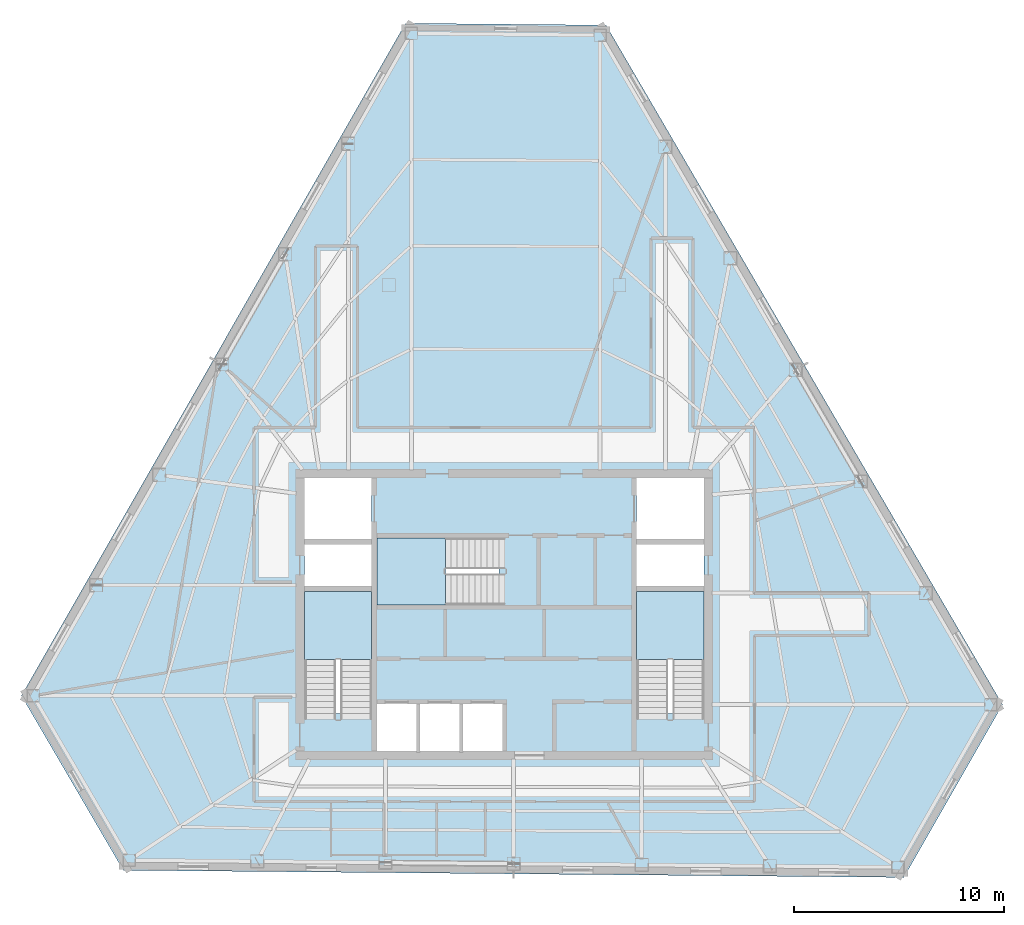
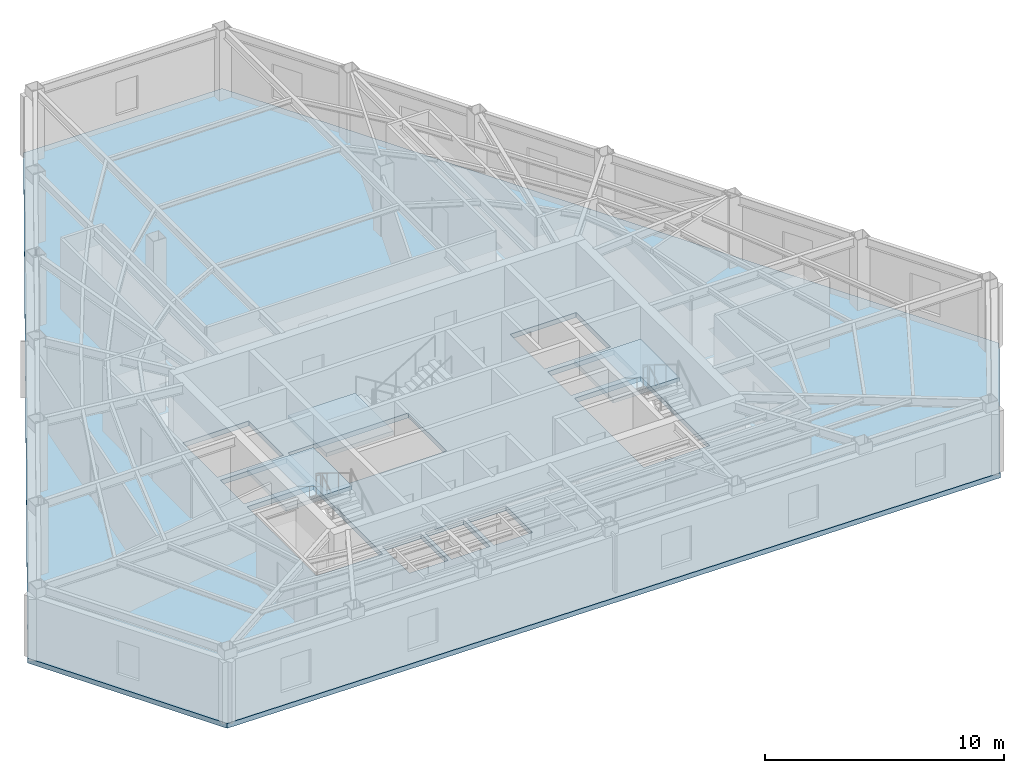
# One storey, part 3 of 11: 4 slabs, 3 elements without a shape of their own.
"""IFC4 building model written with IfcOpenShell, lengths in metres."""

import ifcopenshell
import ifcopenshell.guid

model = None  # the IFC model being written
_history = None  # IfcOwnerHistory: only IFC2X3 demands one
_inside = {}  # id of a spatial element -> (the spatial element, [elements in it])
_under = {}  # id of a project, library or spatial element -> (it, [spatial elements below it])
_declared = {}  # id of a project -> (the project, [libraries it declares])
_typed = {}  # id of a type object -> (the type object, [elements of that type])
_made_of = {}  # id of a material, layer set ... -> (it, [elements and type objects made of it])


def new_model(schema):
    """Start an empty IFC model of exactly this schema.

    Asked for "IFC4X3", IfcOpenShell would pick the latest addendum, in which some entities
    have other attributes; the version numbers below select the first issue.
    IFC2X3 requires an IfcOwnerHistory on every rooted entity: one is made here for all.
    """
    global model, _history
    if schema == "IFC4X3":
        model = ifcopenshell.file(schema_version=(4, 3, 0, 0))
    else:
        model = ifcopenshell.file(schema=schema)
    _inside.clear()
    _under.clear()
    _declared.clear()
    _typed.clear()
    _made_of.clear()
    _history = None
    if model.schema == "IFC2X3":
        org = make("IfcOrganization", Name="unknown")
        user = make(
            "IfcPersonAndOrganization",
            ThePerson=make("IfcPerson", FamilyName="unknown"),
            TheOrganization=org,
        )
        app = make(
            "IfcApplication",
            ApplicationDeveloper=org,
            Version="unknown",
            ApplicationFullName="unknown",
            ApplicationIdentifier="unknown",
        )
        _history = make(
            "IfcOwnerHistory",
            OwningUser=user,
            OwningApplication=app,
            ChangeAction="ADDED",
            CreationDate=0,
        )
    return model


def make(cls, **values):
    """One entity of the class cls with the attributes given. An attribute that is None is left unset."""
    return model.create_entity(
        cls, **{name: value for name, value in values.items() if value is not None}
    )


def rooted(cls, **values):
    """An entity with a GlobalId (a new one), such as an element, a storey or a relation."""
    return make(cls, GlobalId=ifcopenshell.guid.new(), OwnerHistory=_history, **values)


def si_unit(unit_type, name, prefix=None):
    """IfcSIUnit, for example si_unit("LENGTHUNIT", "METRE", prefix="MILLI")."""
    return make("IfcSIUnit", UnitType=unit_type, Prefix=prefix, Name=name)


def assignment(units):
    """IfcUnitAssignment: the units of a project."""
    return None if units is None else make("IfcUnitAssignment", Units=units)


def point(xyz):
    """IfcCartesianPoint."""
    return None if xyz is None else make("IfcCartesianPoint", Coordinates=xyz)


def direction(xyz):
    """IfcDirection."""
    return None if xyz is None else make("IfcDirection", DirectionRatios=xyz)


def frame(location, z_axis=None, x_axis=None):
    """IfcAxis2Placement3D, a coordinate frame: its origin and axes. An axis left out is left unset."""
    return make(
        "IfcAxis2Placement3D",
        Location=point(location),
        Axis=direction(z_axis),
        RefDirection=direction(x_axis),
    )


def origin():
    """The frame at (0, 0, 0) with its axes left unset."""
    return frame((0.0, 0.0, 0.0))


def place(relative_to, where):
    """IfcLocalPlacement: puts the frame where relative to a parent placement (None: the world)."""
    return make(
        "IfcLocalPlacement", PlacementRelTo=relative_to, RelativePlacement=where
    )


def context(
    kind, dimensions, precision=None, world=None, true_north=None, identifier=None
):
    """IfcGeometricRepresentationContext, for example the 3D "Model" context."""
    return make(
        "IfcGeometricRepresentationContext",
        ContextIdentifier=identifier,
        ContextType=kind,
        CoordinateSpaceDimension=dimensions,
        Precision=precision,
        WorldCoordinateSystem=world,
        TrueNorth=true_north,
    )


def subcontext(parent, identifier, kind, view, scale=None):
    """IfcGeometricRepresentationSubContext, for example "Body" below "Model"."""
    return make(
        "IfcGeometricRepresentationSubContext",
        ContextIdentifier=identifier,
        ContextType=kind,
        ParentContext=parent,
        TargetScale=scale,
        TargetView=view,
    )


def project(units=None, contexts=None):
    """IfcProject with its units and contexts."""
    return rooted(
        "IfcProject",
        Name="project",
        RepresentationContexts=contexts,
        UnitsInContext=assignment(units),
    )


def spatial(cls, under=None, at=None, **own):
    """A site, building, storey or space (cls), placed at a placement, below another one or the project."""
    s = rooted(cls, ObjectPlacement=at, **own)
    if under is not None:
        _under.setdefault(under.id(), (under, []))[1].append(s)
    return s


def polyline(points):
    """IfcPolyline through the points."""
    return make("IfcPolyline", Points=[point(p) for p in points])


def outline(outer, holes=None, kind="AREA"):
    """IfcArbitraryClosedProfileDef: a profile drawn as a closed curve; with holes, ...WithVoids."""
    if holes is None:
        return make("IfcArbitraryClosedProfileDef", ProfileType=kind, OuterCurve=outer)
    return make(
        "IfcArbitraryProfileDefWithVoids",
        ProfileType=kind,
        OuterCurve=outer,
        InnerCurves=holes,
    )


def extrude(swept, where, along, depth):
    """IfcExtrudedAreaSolid: the profile swept, set in the frame where, extruded along a direction by depth."""
    return make(
        "IfcExtrudedAreaSolid",
        SweptArea=swept,
        Position=where,
        ExtrudedDirection=direction(along),
        Depth=depth,
    )


def shape(context_of_items, identifier, shape_type, items):
    """IfcShapeRepresentation: the items that make up one representation, for example the "Body"."""
    return make(
        "IfcShapeRepresentation",
        ContextOfItems=context_of_items,
        RepresentationIdentifier=identifier,
        RepresentationType=shape_type,
        Items=items,
    )


def material(Name=None, Category=None):
    """IfcMaterial."""
    return make("IfcMaterial", Name=Name, Category=Category)


def layer(
    of_material, thickness, ventilated=None, Name=None, Category=None, Priority=None
):
    """IfcMaterialLayer: one layer of a wall or slab, of a material (None: an air gap)."""
    return make(
        "IfcMaterialLayer",
        Material=of_material,
        LayerThickness=thickness,
        IsVentilated=ventilated,
        Name=Name,
        Category=Category,
        Priority=Priority,
    )


def layer_set(layers, Name=None):
    """IfcMaterialLayerSet."""
    return make("IfcMaterialLayerSet", MaterialLayers=layers, LayerSetName=Name)


def made_of(thing, what):
    """Note that an element or type object is made of a material, layer set ...; save() writes the relation."""
    if what is not None:
        _made_of.setdefault(what.id(), (what, []))[1].append(thing)
    return thing


def type_object(cls, material=None, **own):
    """A type object (cls), such as IfcWallType, which elements share."""
    return made_of(rooted(cls, **own), material)


def element(
    cls,
    number,
    at=None,
    inside=None,
    cuts=None,
    type_object=None,
    material=None,
    context=None,
    identifier="Body",
    shape_type=None,
    held_by="IfcProductDefinitionShape",
    body=None,
    shapes=None,
    **own,
):
    """One element of the class cls, such as IfcWall. Its Tag is "e" and its number.

    at: its placement. inside: the storey or other place that contains it. cuts: it is an
    opening in that element (IfcRelVoidsElement). A single representation is given by context,
    identifier, shape_type and body (its items); several are given by shapes. held_by: the class
    of the entity that holds the representations. save() writes the other relations.
    """
    e = rooted(cls, Tag="e%d" % number, ObjectPlacement=at, **own)
    if body is not None:
        shapes = [shape(context, identifier, shape_type, body)]
    if shapes is not None:
        e.Representation = make(held_by, Representations=shapes)
    if inside is not None:
        _inside.setdefault(inside.id(), (inside, []))[1].append(e)
    if cuts is not None:
        rooted(
            "IfcRelVoidsElement", RelatingBuildingElement=cuts, RelatedOpeningElement=e
        )
    if type_object is not None:
        _typed.setdefault(type_object.id(), (type_object, []))[1].append(e)
    return made_of(e, material)


def aggregate(whole, parts):
    """IfcRelAggregates: a whole, such as a stair, and the parts it consists of."""
    return rooted("IfcRelAggregates", RelatingObject=whole, RelatedObjects=parts)


def save(model, path):
    """Write the relations noted so far, then the file.

    IfcRelAggregates (storeys below a building ...), IfcRelContainedInSpatialStructure (elements
    in a storey), IfcRelDefinesByType, IfcRelAssociatesMaterial and IfcRelDeclares: one each for
    every whole, place, type object, material and project.
    """
    for whole, parts in _under.values():
        aggregate(whole, parts)
    for where, things in _inside.values():
        rooted(
            "IfcRelContainedInSpatialStructure",
            RelatedElements=things,
            RelatingStructure=where,
        )
    for kind, things in _typed.values():
        rooted("IfcRelDefinesByType", RelatedObjects=things, RelatingType=kind)
    for what, things in _made_of.values():
        rooted("IfcRelAssociatesMaterial", RelatedObjects=things, RelatingMaterial=what)
    for by, libraries in _declared.values():
        rooted("IfcRelDeclares", RelatingContext=by, RelatedDefinitions=libraries)
    model.write(path)


model = new_model("IFC4")

# Units and contexts
model_context = context("Model", 3, precision=1e-05, world=origin(), true_north=direction((0.0, 1.0)))
body_context = subcontext(model_context, "Body", "Model", "MODEL_VIEW")
ifc_project = project(units=[si_unit("LENGTHUNIT", "METRE"), si_unit("AREAUNIT", "SQUARE_METRE"), si_unit("VOLUMEUNIT", "CUBIC_METRE"), si_unit("PLANEANGLEUNIT", "RADIAN"), si_unit("MASSUNIT", "GRAM", prefix="KILO")], contexts=[model_context])

# Site, building, storey
site_placement = place(None, origin())
site = spatial("IfcSite", under=ifc_project, at=site_placement, CompositionType="ELEMENT")
building_placement = place(site_placement, origin())
building = spatial("IfcBuilding", under=site, at=building_placement, Name="Kavelnor Concourse Tower", CompositionType="ELEMENT")
storey_placement = place(building_placement, frame((0.0, 0.0, 184.25)))
storey = spatial("IfcBuildingStorey", under=building, at=storey_placement, Name="L46", CompositionType="ELEMENT", Elevation=184.25)

# Stair, slab
ifc_material = material(Name="Concrete C40/50", Category="concrete")
stair_type = type_object("IfcStairType", Name="STR-CORE-1500", PredefinedType="HALF_TURN_STAIR", material=ifc_material)
stair_1_placement = place(storey_placement, origin())
stair_1 = element("IfcStair", 1, at=stair_1_placement, inside=storey, type_object=stair_type, Name="L46 ST1", PredefinedType="HALF_TURN_STAIR")
ifc_layer_1 = layer(ifc_material, 0.199951171875, Name="Concrete C40/50")
ifc_layer_set_1 = layer_set([ifc_layer_1], Name="Concrete C40/50")
slab_type_1 = type_object("IfcSlabType", Name="SLB-LANDING-200", PredefinedType="LANDING", material=ifc_layer_set_1)
slab_1_placement = place(storey_placement, frame((0.0, 0.0, 1.72509765625)))
slab_1 = element("IfcSlab", 2, at=slab_1_placement, type_object=slab_type_1, Name="ST1 landing 1", PredefinedType="LANDING", context=body_context, shape_type="SweptSolid", body=[
    extrude(outline(polyline([(31.679931640625, 13.949951171875), (31.679931640625, 17.199951171875), (28.47998046875, 17.199951171875), (28.47998046875, 13.949951171875), (31.679931640625, 13.949951171875)])), origin(), (0.0, 0.0, 1.0), 0.199951171875),
])
aggregate(stair_1, [slab_1])

stair_2_placement = place(storey_placement, origin())
stair_2 = element("IfcStair", 3, at=stair_2_placement, inside=storey, type_object=stair_type, Name="L46 ST2", PredefinedType="HALF_TURN_STAIR")
slab_2_placement = place(storey_placement, frame((0.0, 0.0, 1.72509765625)))
slab_2 = element("IfcSlab", 4, at=slab_2_placement, type_object=slab_type_1, Name="ST2 landing 1", PredefinedType="LANDING", context=body_context, shape_type="SweptSolid", body=[
    extrude(outline(polyline([(47.52001953125, 13.949951171875), (47.52001953125, 17.199951171875), (44.320068359375, 17.199951171875), (44.320068359375, 13.949951171875), (47.52001953125, 13.949951171875)])), origin(), (0.0, 0.0, 1.0), 0.199951171875),
])
aggregate(stair_2, [slab_2])

stair_3_placement = place(storey_placement, origin())
stair_3 = element("IfcStair", 5, at=stair_3_placement, inside=storey, type_object=stair_type, Name="L46 ST3", PredefinedType="HALF_TURN_STAIR")
slab_3_placement = place(storey_placement, frame((0.0, 0.0, 1.72509765625)))
slab_3 = element("IfcSlab", 6, at=slab_3_placement, type_object=slab_type_1, Name="ST3 landing 1", PredefinedType="LANDING", context=body_context, shape_type="SweptSolid", body=[
    extrude(outline(polyline([(35.18994140625, 19.760009765625), (31.93994140625, 19.760009765625), (31.93994140625, 16.56005859375), (35.18994140625, 16.56005859375), (35.18994140625, 19.760009765625)])), origin(), (0.0, 0.0, 1.0), 0.199951171875),
])
aggregate(stair_3, [slab_3])

# Slab
ifc_layer_2 = layer(ifc_material, 0.25, Name="Concrete C40/50")
ifc_layer_set_2 = layer_set([ifc_layer_2], Name="Concrete C40/50")
slab_type_2 = type_object("IfcSlabType", Name="SLB-OFFICE-250", PredefinedType="FLOOR", material=ifc_layer_set_2)
slab_4_placement = place(storey_placement, frame((0.0, 0.0, -0.25)))
element("IfcSlab", 7, at=slab_4_placement, inside=storey, type_object=slab_type_2, Name="L46 Composite Structural Floor Slab", PredefinedType="FLOOR", context=body_context, shape_type="SweptSolid", body=[
    extrude(outline(polyline([(42.856689453125, 44.204833984375), (33.295166015625, 44.29248046875), (14.98095703125, 12.23046875), (19.837646484375, 3.906005859375), (57.056884765625, 3.564697265625), (61.761962890625, 11.801513671875), (42.856689453125, 44.204833984375)]), holes=[polyline([(28.47998046875, 11.3798828125), (31.679931640625, 11.3798828125), (31.679931640625, 17.199951171875), (28.47998046875, 17.199951171875), (28.47998046875, 11.3798828125)]), polyline([(44.320068359375, 11.3798828125), (47.52001953125, 11.3798828125), (47.52001953125, 17.199951171875), (44.320068359375, 17.199951171875), (44.320068359375, 11.3798828125)]), polyline([(31.93994140625, 16.56005859375), (37.760009765625, 16.56005859375), (37.760009765625, 19.760009765625), (31.93994140625, 19.760009765625), (31.93994140625, 16.56005859375)]), polyline([(28.47998046875, 19.699951171875), (31.679931640625, 19.699951171875), (31.679931640625, 22.60009765625), (28.47998046875, 22.60009765625), (28.47998046875, 19.699951171875)]), polyline([(44.320068359375, 19.699951171875), (47.52001953125, 19.699951171875), (47.52001953125, 22.60009765625), (44.320068359375, 22.60009765625), (44.320068359375, 19.699951171875)]), polyline([(31.93994140625, 9.60009765625), (33.81005859375, 9.60009765625), (33.81005859375, 11.840087890625), (31.93994140625, 11.840087890625), (31.93994140625, 9.60009765625)]), polyline([(33.989990234375, 9.60009765625), (35.860107421875, 9.60009765625), (35.860107421875, 11.840087890625), (33.989990234375, 11.840087890625), (33.989990234375, 9.60009765625)]), polyline([(36.0400390625, 9.60009765625), (37.909912109375, 9.60009765625), (37.909912109375, 11.840087890625), (36.0400390625, 11.840087890625), (36.0400390625, 9.60009765625)]), polyline([(28.47998046875, 17.4599609375), (31.679931640625, 17.4599609375), (31.679931640625, 19.43994140625), (28.47998046875, 19.43994140625), (28.47998046875, 17.4599609375)]), polyline([(44.320068359375, 17.4599609375), (47.52001953125, 17.4599609375), (47.52001953125, 19.43994140625), (44.320068359375, 19.43994140625), (44.320068359375, 17.4599609375)])]), origin(), (0.0, 0.0, 1.0), 0.25),
])

save(model, "model.ifc")
